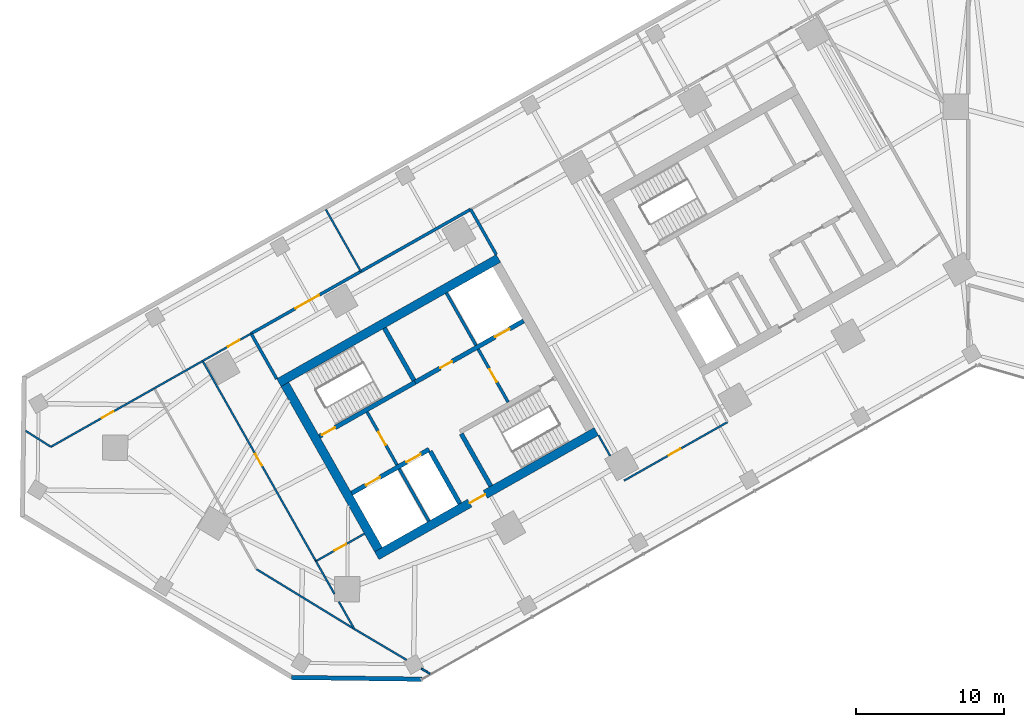
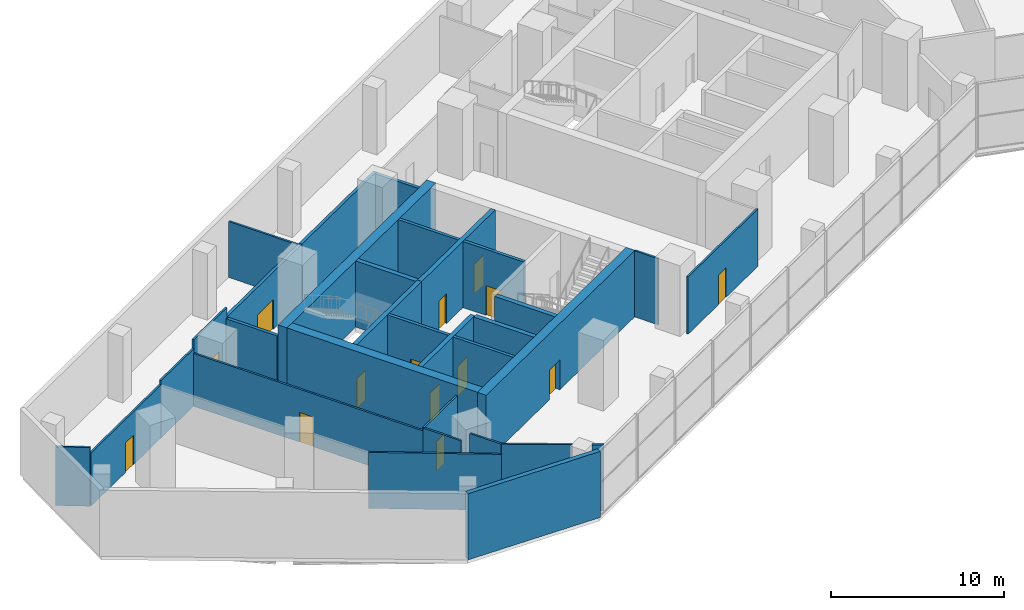
# One storey, part 8 of 16: 32 walls, 14 doors, 14 openings.
"""IFC4 building model written with IfcOpenShell, lengths in metres."""

from ifc_helpers import new_model, si_unit, direction, frame, frame_2d, origin, place, context, subcontext, project, spatial, rectangle, extrude, material, layer, layer_set, type_object, element, fill, save


model = new_model("IFC4")

# Units and contexts
model_context = context("Model", 3, precision=1e-05, world=origin(), true_north=direction((0.0, 1.0)))
body_context = subcontext(model_context, "Body", "Model", "MODEL_VIEW")
ifc_project = project(units=[si_unit("LENGTHUNIT", "METRE"), si_unit("AREAUNIT", "SQUARE_METRE"), si_unit("VOLUMEUNIT", "CUBIC_METRE"), si_unit("PLANEANGLEUNIT", "RADIAN"), si_unit("MASSUNIT", "GRAM", prefix="KILO")], contexts=[model_context])

# Site, building, storey
site_placement = place(None, origin())
site = spatial("IfcSite", under=ifc_project, at=site_placement, CompositionType="ELEMENT")
building_placement = place(site_placement, origin())
building = spatial("IfcBuilding", under=site, at=building_placement, Name="Binnacle Exchange Tower", CompositionType="ELEMENT")
storey_placement = place(building_placement, frame((0.0, 0.0, 21.5)))
storey = spatial("IfcBuildingStorey", under=building, at=storey_placement, Name="L04", CompositionType="ELEMENT", Elevation=21.5)

# Wall, openings, doors
ifc_material_1 = material(Name="Concrete C70/85", Category="concrete")
ifc_layer_1 = layer(ifc_material_1, 0.300048828125)
ifc_layer_set_1 = layer_set([ifc_layer_1], Name="Core wall - front 300")
wall_type_1 = type_object("IfcWallType", Name="Core wall - front 300", PredefinedType="SOLIDWALL", material=ifc_layer_set_1)
wall_1_placement = place(storey_placement, frame((-41.555908203125, 33.9609375, 0.0), z_axis=(0.0, 0.0, 1.0), x_axis=(0.870343731308, 0.492444706919, 0.0)))
wall_1 = element("IfcWall", 1, at=wall_1_placement, inside=storey, type_object=wall_type_1, Name="Core wall CRWA2", PredefinedType="SOLIDWALL", context=body_context, shape_type="SweptSolid", body=[
    extrude(rectangle(XDim=5.999755859375, YDim=0.300048828125, at=frame_2d((3.0, 0.0))), origin(), (0.0, 0.0, 1.0), 4.679931640625),
])
opening_1_placement = place(wall_1_placement, frame((1.099853515625, 0.0, 0.0)))
opening_1 = element("IfcOpeningElement", 2, at=opening_1_placement, cuts=wall_1, Name="Opening LD12", PredefinedType="OPENING", context=body_context, shape_type="SweptSolid", body=[
    extrude(rectangle(XDim=1.10009765625, YDim=2.10009765625, at=frame_2d((0.550048828125, 1.050048828125))), frame((0.0, 0.159912109375, 0.0), z_axis=(0.0, -1.0, 0.0), x_axis=(1.0, 0.0, 0.0)), (0.0, 0.0, 1.0), 0.320068359375),
])
opening_2_placement = place(wall_1_placement, frame((4.25, 0.0, 0.0)))
opening_2 = element("IfcOpeningElement", 3, at=opening_2_placement, cuts=wall_1, Name="Opening LD8", PredefinedType="OPENING", context=body_context, shape_type="SweptSolid", body=[
    extrude(rectangle(XDim=1.10009765625, YDim=2.10009765625, at=frame_2d((0.550048828125, 1.050048828125))), frame((0.0, 0.159912109375, 0.0), z_axis=(0.0, -1.0, 0.0), x_axis=(1.0, 0.0, 0.0)), (0.0, 0.0, 1.0), 0.320068359375),
])
ifc_material_2 = material(Name="Steel door leaf", Category="steel")
door_type_1 = type_object("IfcDoorType", Name="Fire door - lift landing 1100", OperationType="NOTDEFINED", PredefinedType="DOOR", material=ifc_material_2)
door_1_placement = place(opening_1_placement, origin())
door_1 = element("IfcDoor", 4, at=door_1_placement, inside=storey, type_object=door_type_1, Name="Landing door LD12 L04", OperationType="DOUBLE_DOOR_SLIDING", OverallHeight=2.10009765625, OverallWidth=1.10009765625, PredefinedType="DOOR", context=body_context, shape_type="SweptSolid", body=[
    extrude(rectangle(XDim=1.10009765625, YDim=2.10009765625, at=frame_2d((0.550048828125, 1.050048828125))), frame((0.0, 0.02490234375, 0.0), z_axis=(0.0, -1.0, 0.0), x_axis=(1.0, 0.0, 0.0)), (0.0, 0.0, 1.0), 0.050048828125),
])
fill(opening_1, door_1)
door_2_placement = place(opening_2_placement, origin())
door_2 = element("IfcDoor", 5, at=door_2_placement, inside=storey, type_object=door_type_1, Name="Landing door LD8 L04", OperationType="DOUBLE_DOOR_SLIDING", OverallHeight=2.10009765625, OverallWidth=1.10009765625, PredefinedType="DOOR", context=body_context, shape_type="SweptSolid", body=[
    extrude(rectangle(XDim=1.10009765625, YDim=2.10009765625, at=frame_2d((0.550048828125, 1.050048828125))), frame((0.0, 0.02490234375, 0.0), z_axis=(0.0, -1.0, 0.0), x_axis=(1.0, 0.0, 0.0)), (0.0, 0.0, 1.0), 0.050048828125),
])
fill(opening_2, door_2)

wall_2_placement = place(storey_placement, frame((-37.281982421875, 41.4345703125, 0.0), z_axis=(0.0, 0.0, 1.0), x_axis=(0.870356516133, 0.492422110414, 0.0)))
wall_2 = element("IfcWall", 6, at=wall_2_placement, inside=storey, type_object=wall_type_1, Name="Core wall CRWA5", PredefinedType="SOLIDWALL", context=body_context, shape_type="SweptSolid", body=[
    extrude(rectangle(XDim=8.399658203125, YDim=0.300048828125, at=frame_2d((4.19970703125, 0.0))), origin(), (0.0, 0.0, 1.0), 4.679931640625),
])
opening_3_placement = place(wall_2_placement, frame((6.199951171875, 0.0, 0.0)))
opening_3 = element("IfcOpeningElement", 7, at=opening_3_placement, cuts=wall_2, Name="Opening LD13", PredefinedType="OPENING", context=body_context, shape_type="SweptSolid", body=[
    extrude(rectangle(XDim=1.10009765625, YDim=2.10009765625, at=frame_2d((0.550048828125, 1.050048828125))), frame((0.0, 0.159912109375, 0.0), z_axis=(0.0, -1.0, 0.0), x_axis=(1.0, 0.0, 0.0)), (0.0, 0.0, 1.0), 0.320068359375),
])
opening_4_placement = place(wall_2_placement, frame((1.949951171875, 0.0, 0.0)))
opening_4 = element("IfcOpeningElement", 8, at=opening_4_placement, cuts=wall_2, Name="Opening DA10", PredefinedType="OPENING", context=body_context, shape_type="SweptSolid", body=[
    extrude(rectangle(XDim=0.89990234375, YDim=2.10009765625, at=frame_2d((0.449951171875, 1.050048828125))), frame((0.0, 0.159912109375, 0.0), z_axis=(0.0, -1.0, 0.0), x_axis=(1.0, 0.0, 0.0)), (0.0, 0.0, 1.0), 0.320068359375),
])
door_3_placement = place(opening_3_placement, origin())
door_3 = element("IfcDoor", 9, at=door_3_placement, inside=storey, type_object=door_type_1, Name="Landing door LD13 L04", OperationType="DOUBLE_DOOR_SLIDING", OverallHeight=2.10009765625, OverallWidth=1.10009765625, PredefinedType="DOOR", context=body_context, shape_type="SweptSolid", body=[
    extrude(rectangle(XDim=1.10009765625, YDim=2.10009765625, at=frame_2d((0.550048828125, 1.050048828125))), frame((0.0, 0.02490234375, 0.0), z_axis=(0.0, -1.0, 0.0), x_axis=(1.0, 0.0, 0.0)), (0.0, 0.0, 1.0), 0.050048828125),
])
fill(opening_3, door_3)
door_type_2 = type_object("IfcDoorType", Name="Fire door 900", OperationType="NOTDEFINED", PredefinedType="DOOR", material=ifc_material_2)
door_4_placement = place(opening_4_placement, origin())
door_4 = element("IfcDoor", 10, at=door_4_placement, inside=storey, type_object=door_type_2, Name="Core room door LINEN AND SUPPLIES STORE", OperationType="SINGLE_SWING_LEFT", OverallHeight=2.10009765625, OverallWidth=0.89990234375, PredefinedType="DOOR", context=body_context, shape_type="SweptSolid", body=[
    extrude(rectangle(XDim=0.89990234375, YDim=2.10009765625, at=frame_2d((0.449951171875, 1.050048828125))), frame((0.0, 0.02490234375, 0.0), z_axis=(0.0, -1.0, 0.0), x_axis=(1.0, 0.0, 0.0)), (0.0, 0.0, 1.0), 0.050048828125),
])
fill(opening_4, door_4)

# Wall
wall_3_placement = place(storey_placement, frame((-36.260009765625, 36.784912109375, 0.0), z_axis=(0.0, 0.0, 1.0), x_axis=(0.492440575896, -0.870346068648, 0.0)))
element("IfcWall", 11, at=wall_3_placement, inside=storey, type_object=wall_type_1, Name="Core wall CRWA13", PredefinedType="SOLIDWALL", context=body_context, shape_type="SweptSolid", body=[
    extrude(rectangle(XDim=4.050048828125, YDim=0.300048828125, at=frame_2d((2.02490234375, 0.0))), origin(), (0.0, 0.0, 1.0), 4.679931640625),
])

# Wall, opening, door
ifc_layer_2 = layer(ifc_material_1, 0.60009765625)
ifc_layer_set_2 = layer_set([ifc_layer_2], Name="Core wall - outer 600")
wall_type_2 = type_object("IfcWallType", Name="Core wall - outer 600", PredefinedType="SOLIDWALL", material=ifc_layer_set_2)
wall_4_placement = place(storey_placement, frame((-39.8623046875, 29.748779296875, 0.0), z_axis=(0.0, 0.0, 1.0), x_axis=(0.870350116061, 0.492433422375, 0.0)))
wall_4 = element("IfcWall", 12, at=wall_4_placement, inside=storey, type_object=wall_type_2, Name="Core wall CRWA1", PredefinedType="SOLIDWALL", context=body_context, shape_type="SweptSolid", body=[
    extrude(rectangle(XDim=17.0, YDim=0.60009765625, at=frame_2d((8.5, 0.0))), origin(), (0.0, 0.0, 1.0), 4.679931640625),
])
opening_5_placement = place(wall_4_placement, frame((7.199951171875, 0.0, 0.0)))
opening_5 = element("IfcOpeningElement", 13, at=opening_5_placement, cuts=wall_4, Name="Opening DA7", PredefinedType="OPENING", context=body_context, shape_type="SweptSolid", body=[
    extrude(rectangle(XDim=1.199951171875, YDim=2.10009765625, at=frame_2d((0.60009765625, 1.050048828125))), frame((0.0, 0.31005859375, 0.0), z_axis=(0.0, -1.0, 0.0), x_axis=(1.0, 0.0, 0.0)), (0.0, 0.0, 1.0), 0.6201171875),
])
door_type_3 = type_object("IfcDoorType", Name="Fire door 1200", OperationType="NOTDEFINED", PredefinedType="DOOR", material=ifc_material_2)
door_5_placement = place(opening_5_placement, frame((1.199951171875, 0.0, 0.0), z_axis=(0.0, 0.0, 1.0), x_axis=(-1.0, 0.0, 0.0)))
door_5 = element("IfcDoor", 14, at=door_5_placement, inside=storey, type_object=door_type_3, Name="Lift lobby entrance door core A", OperationType="SINGLE_SWING_RIGHT", OverallHeight=2.10009765625, OverallWidth=1.199951171875, PredefinedType="DOOR", context=body_context, shape_type="SweptSolid", body=[
    extrude(rectangle(XDim=1.199951171875, YDim=2.10009765625, at=frame_2d((0.60009765625, 1.050048828125))), frame((0.0, 0.02490234375, 0.0), z_axis=(0.0, -1.0, 0.0), x_axis=(1.0, 0.0, 0.0)), (0.0, 0.0, 1.0), 0.050048828125),
])
fill(opening_5, door_5)

# Walls
wall_5_placement = place(storey_placement, frame((-46.460693359375, 41.41162109375, 0.0), z_axis=(0.0, 0.0, 1.0), x_axis=(0.870350116061, 0.492433422375, 0.0)))
element("IfcWall", 15, at=wall_5_placement, inside=storey, type_object=wall_type_2, Name="Core wall CRWA6", PredefinedType="SOLIDWALL", context=body_context, shape_type="SweptSolid", body=[
    extrude(rectangle(XDim=17.0, YDim=0.60009765625, at=frame_2d((8.5, 0.0))), origin(), (0.0, 0.0, 1.0), 4.679931640625),
])
wall_6_placement = place(storey_placement, frame((-46.052001953125, 41.29833984375, 0.0), z_axis=(0.0, 0.0, 1.0), x_axis=(0.492418598281, -0.870358503186, 0.0)))
element("IfcWall", 16, at=wall_6_placement, inside=storey, type_object=wall_type_2, Name="Core wall CRWA7", PredefinedType="SOLIDWALL", context=body_context, shape_type="SweptSolid", body=[
    extrude(rectangle(XDim=12.800048828125, YDim=0.60009765625, at=frame_2d((6.39990234375, 0.0))), origin(), (0.0, 0.0, 1.0), 4.679931640625),
])

# Wall, opening, door
ifc_layer_3 = layer(ifc_material_1, 0.300048828125)
ifc_layer_set_3 = layer_set([ifc_layer_3], Name="Core wall - stair 300")
wall_type_3 = type_object("IfcWallType", Name="Core wall - stair 300", PredefinedType="SOLIDWALL", material=ifc_layer_set_3)
wall_7_placement = place(storey_placement, frame((-43.72265625, 37.79052734375, 0.0), z_axis=(0.0, 0.0, 1.0), x_axis=(0.87035077051, 0.49243226567, 0.0)))
wall_7 = element("IfcWall", 17, at=wall_7_placement, inside=storey, type_object=wall_type_3, Name="Core wall CRWA4", PredefinedType="SOLIDWALL", context=body_context, shape_type="SweptSolid", body=[
    extrude(rectangle(XDim=7.400146484375, YDim=0.300048828125, at=frame_2d((3.7001953125, 0.0))), origin(), (0.0, 0.0, 1.0), 4.679931640625),
])
opening_6_placement = place(wall_7_placement, frame((0.199951171875, 0.0, 0.0)))
opening_6 = element("IfcOpeningElement", 18, at=opening_6_placement, cuts=wall_7, Name="Opening DA1", PredefinedType="OPENING", context=body_context, shape_type="SweptSolid", body=[
    extrude(rectangle(XDim=1.0, YDim=2.10009765625, at=frame_2d((0.5, 1.050048828125))), frame((0.0, 0.159912109375, 0.0), z_axis=(0.0, -1.0, 0.0), x_axis=(1.0, 0.0, 0.0)), (0.0, 0.0, 1.0), 0.320068359375),
])
door_type_4 = type_object("IfcDoorType", Name="Fire door 1000", OperationType="NOTDEFINED", PredefinedType="DOOR", material=ifc_material_2)
door_6_placement = place(opening_6_placement, origin())
door_6 = element("IfcDoor", 19, at=door_6_placement, inside=storey, type_object=door_type_4, Name="Stair door ST-A1", OperationType="SINGLE_SWING_LEFT", OverallHeight=2.10009765625, OverallWidth=1.0, PredefinedType="DOOR", context=body_context, shape_type="SweptSolid", body=[
    extrude(rectangle(XDim=1.0, YDim=2.10009765625, at=frame_2d((0.5, 1.050048828125))), frame((0.0, 0.02490234375, 0.0), z_axis=(0.0, -1.0, 0.0), x_axis=(1.0, 0.0, 0.0)), (0.0, 0.0, 1.0), 0.050048828125),
])
fill(opening_6, door_6)

# Walls
wall_8_placement = place(storey_placement, frame((-39.350341796875, 45.090087890625, 0.0), z_axis=(0.0, 0.0, 1.0), x_axis=(0.49241474071, -0.870360685654, 0.0)))
element("IfcWall", 20, at=wall_8_placement, inside=storey, type_object=wall_type_3, Name="Core wall CRWA14", PredefinedType="SOLIDWALL", context=body_context, shape_type="SweptSolid", body=[
    extrude(rectangle(XDim=4.05029296875, YDim=0.300048828125, at=frame_2d((2.025146484375, 0.0))), origin(), (0.0, 0.0, 1.0), 4.679931640625),
])
wall_9_placement = place(storey_placement, frame((-34.171142578125, 37.966796875, 0.0), z_axis=(0.0, 0.0, 1.0), x_axis=(0.492394910396, -0.870371904542, 0.0)))
element("IfcWall", 21, at=wall_9_placement, inside=storey, type_object=wall_type_3, Name="Core wall CRWA16", PredefinedType="SOLIDWALL", context=body_context, shape_type="SweptSolid", body=[
    extrude(rectangle(XDim=4.0498046875, YDim=0.300048828125, at=frame_2d((2.02490234375, 0.0))), origin(), (0.0, 0.0, 1.0), 4.679931640625),
])
ifc_material_3 = material(Name="Bronze aluminium louvre", Category="aluminium")
ifc_layer_4 = layer(ifc_material_3, 0.300048828125)
ifc_layer_set_4 = layer_set([ifc_layer_4], Name="External wall - podium louvre 300")
wall_type_4 = type_object("IfcWallType", Name="External wall - podium louvre 300", PredefinedType="STANDARD", material=ifc_layer_set_4)
wall_10_placement = place(storey_placement, frame((-36.821044921875, 21.42822265625, 0.0), z_axis=(0.0, 0.0, 1.0), x_axis=(-0.999914252794, 0.013095306781, 0.0)))
element("IfcWall", 22, at=wall_10_placement, inside=storey, type_object=wall_type_4, Name="External wall EW-P05 L04", PredefinedType="STANDARD", context=body_context, shape_type="SweptSolid", body=[
    extrude(rectangle(XDim=8.781005859375, YDim=0.300048828125, at=frame_2d((4.390625, 0.0))), origin(), (0.0, 0.0, 1.0), 4.679931640625),
])
ifc_material_4 = material(Name="Masonry block wall", Category="masonry")
ifc_layer_5 = layer(ifc_material_4, 0.199951171875)
ifc_layer_set_5 = layer_set([ifc_layer_5], Name="Fire wall - block 200")
wall_type_5 = type_object("IfcWallType", Name="Fire wall - block 200", PredefinedType="PARTITIONING", material=ifc_layer_set_5)
wall_11_placement = place(storey_placement, frame((-48.33203125, 44.718994140625, 0.0), z_axis=(0.0, 0.0, 1.0), x_axis=(0.492392845909, -0.87037307248, 0.0)))
element("IfcWall", 23, at=wall_11_placement, inside=storey, type_object=wall_type_5, Name="Partition W08", PredefinedType="PARTITIONING", context=body_context, shape_type="SweptSolid", body=[
    extrude(rectangle(XDim=3.49951171875, YDim=0.199951171875, at=frame_2d((1.749755859375, 0.0))), origin(), (0.0, 0.0, 1.0), 3.9599609375),
])

# Wall, opening, door
wall_12_placement = place(storey_placement, frame((-48.33203125, 44.718994140625, 0.0), z_axis=(0.0, 0.0, 1.0), x_axis=(0.870331650579, 0.492466057713, 0.0)))
wall_12 = element("IfcWall", 24, at=wall_12_placement, inside=storey, type_object=wall_type_5, Name="Partition W09", PredefinedType="PARTITIONING", context=body_context, shape_type="SweptSolid", body=[
    extrude(rectangle(XDim=8.500244140625, YDim=0.199951171875, at=frame_2d((4.25, 0.0))), origin(), (0.0, 0.0, 1.0), 4.053955078125),
])
opening_7_placement = place(wall_12_placement, frame((3.449951171875, 0.0, 0.0)))
opening_7 = element("IfcOpeningElement", 25, at=opening_7_placement, cuts=wall_12, Name="Opening DL03-11", PredefinedType="OPENING", context=body_context, shape_type="SweptSolid", body=[
    extrude(rectangle(XDim=1.800048828125, YDim=2.10009765625, at=frame_2d((0.89990234375, 1.050048828125))), frame((0.0, 0.10986328125, 0.0), z_axis=(0.0, -1.0, 0.0), x_axis=(1.0, 0.0, 0.0)), (0.0, 0.0, 1.0), 0.219970703125),
])
door_type_5 = type_object("IfcDoorType", Name="Fire door 1800", OperationType="NOTDEFINED", PredefinedType="DOOR", material=ifc_material_2)
door_7_placement = place(opening_7_placement, frame((1.800048828125, 0.0, 0.0), z_axis=(0.0, 0.0, 1.0), x_axis=(-1.0, 0.0, 0.0)))
door_7 = element("IfcDoor", 26, at=door_7_placement, inside=storey, type_object=door_type_5, Name="Door DL03-11", OperationType="DOUBLE_DOOR_SINGLE_SWING", OverallHeight=2.10009765625, OverallWidth=1.800048828125, PredefinedType="DOOR", context=body_context, shape_type="SweptSolid", body=[
    extrude(rectangle(XDim=1.800048828125, YDim=2.10009765625, at=frame_2d((0.89990234375, 1.050048828125))), frame((0.0, 0.02490234375, 0.0), z_axis=(0.0, -1.0, 0.0), x_axis=(1.0, 0.0, 0.0)), (0.0, 0.0, 1.0), 0.050048828125),
])
fill(opening_7, door_7)

# Walls
wall_13_placement = place(storey_placement, frame((-40.93408203125, 48.905029296875, 0.0), z_axis=(0.0, 0.0, 1.0), x_axis=(0.870387854278, 0.492366716102, 0.0)))
element("IfcWall", 27, at=wall_13_placement, inside=storey, type_object=wall_type_5, Name="Partition W16", PredefinedType="PARTITIONING", context=body_context, shape_type="SweptSolid", body=[
    extrude(rectangle(XDim=8.5, YDim=0.199951171875, at=frame_2d((4.25, 0.0))), origin(), (0.0, 0.0, 1.0), 4.053955078125),
])
wall_14_placement = place(storey_placement, frame((-33.535888671875, 53.090087890625, 0.0), z_axis=(0.0, 0.0, 1.0), x_axis=(0.492521469645, -0.870300294116, 0.0)))
element("IfcWall", 28, at=wall_14_placement, inside=storey, type_object=wall_type_5, Name="Partition W18", PredefinedType="PARTITIONING", context=body_context, shape_type="SweptSolid", body=[
    extrude(rectangle(XDim=3.5, YDim=0.199951171875, at=frame_2d((1.75, 0.0))), origin(), (0.0, 0.0, 1.0), 3.9599609375),
])

# Wall, opening, door
ifc_layer_6 = layer(ifc_material_4, 0.199951171875)
ifc_layer_set_6 = layer_set([ifc_layer_6], Name="Fire wall - vestibule 200")
wall_type_6 = type_object("IfcWallType", Name="Fire wall - vestibule 200", PredefinedType="PARTITIONING", material=ifc_layer_set_6)
wall_15_placement = place(storey_placement, frame((-40.515625, 39.4326171875, 0.0), z_axis=(0.0, 0.0, 1.0), x_axis=(0.492453559952, -0.87033872216, 0.0)))
wall_15 = element("IfcWall", 29, at=wall_15_placement, inside=storey, type_object=wall_type_6, Name="Core wall CRWA10", PredefinedType="PARTITIONING", context=body_context, shape_type="SweptSolid", body=[
    extrude(rectangle(XDim=4.099853515625, YDim=0.199951171875, at=frame_2d((2.0498046875, 0.0))), origin(), (0.0, 0.0, 1.0), 4.679931640625),
])
opening_8_placement = place(wall_15_placement, frame((1.550048828125, 0.0, 0.0)))
opening_8 = element("IfcOpeningElement", 30, at=opening_8_placement, cuts=wall_15, Name="Opening DA3", PredefinedType="OPENING", context=body_context, shape_type="SweptSolid", body=[
    extrude(rectangle(XDim=1.0, YDim=2.10009765625, at=frame_2d((0.5, 1.050048828125))), frame((0.0, 0.10986328125, 0.0), z_axis=(0.0, -1.0, 0.0), x_axis=(1.0, 0.0, 0.0)), (0.0, 0.0, 1.0), 0.219970703125),
])
door_8_placement = place(opening_8_placement, frame((1.0, 0.0, 0.0), z_axis=(0.0, 0.0, 1.0), x_axis=(-1.0, 0.0, 0.0)))
door_8 = element("IfcDoor", 31, at=door_8_placement, inside=storey, type_object=door_type_4, Name="Vestibule door VEST-W", OperationType="SINGLE_SWING_LEFT", OverallHeight=2.10009765625, OverallWidth=1.0, PredefinedType="DOOR", context=body_context, shape_type="SweptSolid", body=[
    extrude(rectangle(XDim=1.0, YDim=2.10009765625, at=frame_2d((0.5, 1.050048828125))), frame((0.0, 0.02490234375, 0.0), z_axis=(0.0, -1.0, 0.0), x_axis=(1.0, 0.0, 0.0)), (0.0, 0.0, 1.0), 0.050048828125),
])
fill(opening_8, door_8)

wall_16_placement = place(storey_placement, frame((-33.030517578125, 43.66748046875, 0.0), z_axis=(0.0, 0.0, 1.0), x_axis=(0.492408451753, -0.87036424366, 0.0)))
wall_16 = element("IfcWall", 32, at=wall_16_placement, inside=storey, type_object=wall_type_6, Name="Core wall CRWA19", PredefinedType="PARTITIONING", context=body_context, shape_type="SweptSolid", body=[
    extrude(rectangle(XDim=4.099853515625, YDim=0.199951171875, at=frame_2d((2.0498046875, 0.0))), origin(), (0.0, 0.0, 1.0), 4.679931640625),
])
opening_9_placement = place(wall_16_placement, frame((1.550048828125, 0.0, 0.0)))
opening_9 = element("IfcOpeningElement", 33, at=opening_9_placement, cuts=wall_16, Name="Opening DA4", PredefinedType="OPENING", context=body_context, shape_type="SweptSolid", body=[
    extrude(rectangle(XDim=1.0, YDim=2.10009765625, at=frame_2d((0.5, 1.050048828125))), frame((0.0, 0.10986328125, 0.0), z_axis=(0.0, -1.0, 0.0), x_axis=(1.0, 0.0, 0.0)), (0.0, 0.0, 1.0), 0.219970703125),
])
door_9_placement = place(opening_9_placement, origin())
door_9 = element("IfcDoor", 34, at=door_9_placement, inside=storey, type_object=door_type_4, Name="Vestibule door VEST-E", OperationType="SINGLE_SWING_RIGHT", OverallHeight=2.10009765625, OverallWidth=1.0, PredefinedType="DOOR", context=body_context, shape_type="SweptSolid", body=[
    extrude(rectangle(XDim=1.0, YDim=2.10009765625, at=frame_2d((0.5, 1.050048828125))), frame((0.0, 0.02490234375, 0.0), z_axis=(0.0, -1.0, 0.0), x_axis=(1.0, 0.0, 0.0)), (0.0, 0.0, 1.0), 0.050048828125),
])
fill(opening_9, door_9)

# Wall
ifc_material_5 = material(Name="Gypsum partition")
ifc_layer_7 = layer(ifc_material_5, 0.125)
ifc_layer_set_7 = layer_set([ifc_layer_7], Name="Partition 125")
wall_type_7 = type_object("IfcWallType", Name="Partition 125", PredefinedType="PARTITIONING", material=ifc_layer_set_7)
wall_17_placement = place(storey_placement, frame((-63.529052734375, 38.1669921875, 0.0), z_axis=(0.0, 0.0, 1.0), x_axis=(0.844913795328, -0.534902494352, 0.0)))
element("IfcWall", 35, at=wall_17_placement, inside=storey, type_object=wall_type_7, Name="Partition W01", PredefinedType="PARTITIONING", context=body_context, shape_type="SweptSolid", body=[
    extrude(rectangle(XDim=2.019287109375, YDim=0.125, at=frame_2d((1.009765625, 0.0))), origin(), (0.0, 0.0, 1.0), 4.154052734375),
])

# Wall, opening, door
wall_18_placement = place(storey_placement, frame((-61.822998046875, 37.0869140625, 0.0), z_axis=(0.0, 0.0, 1.0), x_axis=(0.870379756599, 0.492381030609, 0.0)))
wall_18 = element("IfcWall", 36, at=wall_18_placement, inside=storey, type_object=wall_type_7, Name="Partition W02", PredefinedType="PARTITIONING", context=body_context, shape_type="SweptSolid", body=[
    extrude(rectangle(XDim=7.999755859375, YDim=0.125, at=frame_2d((4.0, 0.0))), origin(), (0.0, 0.0, 1.0), 3.760009765625),
])
opening_10_placement = place(wall_18_placement, frame((3.949951171875, 0.0, 0.0)))
opening_10 = element("IfcOpeningElement", 37, at=opening_10_placement, cuts=wall_18, Name="Opening DL03-07", PredefinedType="OPENING", context=body_context, shape_type="SweptSolid", body=[
    extrude(rectangle(XDim=0.89990234375, YDim=2.10009765625, at=frame_2d((0.449951171875, 1.050048828125))), frame((0.0, 0.072509765625, 0.0), z_axis=(0.0, -1.0, 0.0), x_axis=(1.0, 0.0, 0.0)), (0.0, 0.0, 1.0), 0.14501953125),
])
ifc_material_6 = material(Name="Timber door leaf", Category="wood")
door_type_6 = type_object("IfcDoorType", Name="Door 900", OperationType="NOTDEFINED", PredefinedType="DOOR", material=ifc_material_6)
door_10_placement = place(opening_10_placement, frame((0.89990234375, 0.0, 0.0), z_axis=(0.0, 0.0, 1.0), x_axis=(-1.0, 0.0, 0.0)))
door_10 = element("IfcDoor", 38, at=door_10_placement, inside=storey, type_object=door_type_6, Name="Door DL03-07", OperationType="SINGLE_SWING_LEFT", OverallHeight=2.10009765625, OverallWidth=0.89990234375, PredefinedType="DOOR", context=body_context, shape_type="SweptSolid", body=[
    extrude(rectangle(XDim=0.89990234375, YDim=2.10009765625, at=frame_2d((0.449951171875, 1.050048828125))), frame((0.0, 0.02490234375, 0.0), z_axis=(0.0, -1.0, 0.0), x_axis=(1.0, 0.0, 0.0)), (0.0, 0.0, 1.0), 0.050048828125),
])
fill(opening_10, door_10)

# Wall
wall_19_placement = place(storey_placement, frame((-54.860107421875, 41.02587890625, 0.0), z_axis=(0.0, 0.0, 1.0), x_axis=(0.870310553999, 0.492503339682, 0.0)))
element("IfcWall", 39, at=wall_19_placement, inside=storey, type_object=wall_type_7, Name="Partition W03", PredefinedType="PARTITIONING", context=body_context, shape_type="SweptSolid", body=[
    extrude(rectangle(XDim=3.75048828125, YDim=0.125, at=frame_2d((1.875244140625, 0.0))), origin(), (0.0, 0.0, 1.0), 4.048095703125),
])

# Wall, opening, door
wall_20_placement = place(storey_placement, frame((-51.595947265625, 42.873046875, 0.0), z_axis=(0.0, 0.0, 1.0), x_axis=(0.87043427122, 0.492284652905, 0.0)))
wall_20 = element("IfcWall", 40, at=wall_20_placement, inside=storey, type_object=wall_type_7, Name="Partition W05", PredefinedType="PARTITIONING", context=body_context, shape_type="SweptSolid", body=[
    extrude(rectangle(XDim=3.749755859375, YDim=0.125, at=frame_2d((1.875, 0.0))), origin(), (0.0, 0.0, 1.0), 4.679931640625),
])
opening_11_placement = place(wall_20_placement, frame((1.949951171875, 0.0, 0.0)))
opening_11 = element("IfcOpeningElement", 41, at=opening_11_placement, cuts=wall_20, Name="Opening DL03-04", PredefinedType="OPENING", context=body_context, shape_type="SweptSolid", body=[
    extrude(rectangle(XDim=0.89990234375, YDim=2.10009765625, at=frame_2d((0.449951171875, 1.050048828125))), frame((0.0, 0.072509765625, 0.0), z_axis=(0.0, -1.0, 0.0), x_axis=(1.0, 0.0, 0.0)), (0.0, 0.0, 1.0), 0.14501953125),
])
door_11_placement = place(opening_11_placement, origin())
door_11 = element("IfcDoor", 42, at=door_11_placement, inside=storey, type_object=door_type_6, Name="Door DL03-04", OperationType="SINGLE_SWING_RIGHT", OverallHeight=2.10009765625, OverallWidth=0.89990234375, PredefinedType="DOOR", context=body_context, shape_type="SweptSolid", body=[
    extrude(rectangle(XDim=0.89990234375, YDim=2.10009765625, at=frame_2d((0.449951171875, 1.050048828125))), frame((0.0, 0.02490234375, 0.0), z_axis=(0.0, -1.0, 0.0), x_axis=(1.0, 0.0, 0.0)), (0.0, 0.0, 1.0), 0.050048828125),
])
fill(opening_11, door_11)

wall_21_placement = place(storey_placement, frame((-51.595947265625, 42.873046875, 0.0), z_axis=(0.0, 0.0, 1.0), x_axis=(0.492435038471, -0.870349201692, 0.0)))
wall_21 = element("IfcWall", 43, at=wall_21_placement, inside=storey, type_object=wall_type_7, Name="Partition W06", PredefinedType="PARTITIONING", context=body_context, shape_type="SweptSolid", body=[
    extrude(rectangle(XDim=15.500732421875, YDim=0.125, at=frame_2d((7.75048828125, 0.0))), origin(), (0.0, 0.0, 1.0), 3.741943359375),
])
opening_12_placement = place(wall_21_placement, frame((7.199951171875, 0.0, 0.0)))
opening_12 = element("IfcOpeningElement", 44, at=opening_12_placement, cuts=wall_21, Name="Opening DL03-08", PredefinedType="OPENING", context=body_context, shape_type="SweptSolid", body=[
    extrude(rectangle(XDim=0.89990234375, YDim=2.10009765625, at=frame_2d((0.449951171875, 1.050048828125))), frame((0.0, 0.072509765625, 0.0), z_axis=(0.0, -1.0, 0.0), x_axis=(1.0, 0.0, 0.0)), (0.0, 0.0, 1.0), 0.14501953125),
])
door_12_placement = place(opening_12_placement, frame((0.89990234375, 0.0, 0.0), z_axis=(0.0, 0.0, 1.0), x_axis=(-1.0, 0.0, 0.0)))
door_12 = element("IfcDoor", 45, at=door_12_placement, inside=storey, type_object=door_type_6, Name="Door DL03-08", OperationType="SINGLE_SWING_RIGHT", OverallHeight=2.10009765625, OverallWidth=0.89990234375, PredefinedType="DOOR", context=body_context, shape_type="SweptSolid", body=[
    extrude(rectangle(XDim=0.89990234375, YDim=2.10009765625, at=frame_2d((0.449951171875, 1.050048828125))), frame((0.0, 0.02490234375, 0.0), z_axis=(0.0, -1.0, 0.0), x_axis=(1.0, 0.0, 0.0)), (0.0, 0.0, 1.0), 0.050048828125),
])
fill(opening_12, door_12)

# Walls
wall_22_placement = place(storey_placement, frame((-47.966064453125, 28.841064453125, 0.0), z_axis=(0.0, 0.0, 1.0), x_axis=(0.8531669284, -0.521637989686, 0.0)))
element("IfcWall", 46, at=wall_22_placement, inside=storey, type_object=wall_type_7, Name="Partition W10", PredefinedType="PARTITIONING", context=body_context, shape_type="SweptSolid", body=[
    extrude(rectangle(XDim=7.721923828125, YDim=0.125, at=frame_2d((3.86083984375, 0.0))), origin(), (0.0, 0.0, 1.0), 3.9599609375),
])
wall_23_placement = place(storey_placement, frame((-43.962890625, 29.382080078125, 0.0), z_axis=(0.0, 0.0, 1.0), x_axis=(0.492408705769, -0.870364099951, 0.0)))
element("IfcWall", 47, at=wall_23_placement, inside=storey, type_object=wall_type_7, Name="Partition W11", PredefinedType="PARTITIONING", context=body_context, shape_type="SweptSolid", body=[
    extrude(rectangle(XDim=2.54052734375, YDim=0.125, at=frame_2d((1.270263671875, 0.0))), origin(), (0.0, 0.0, 1.0), 3.951904296875),
])

# Wall, opening, door
wall_24_placement = place(storey_placement, frame((-43.962890625, 29.382080078125, 0.0), z_axis=(0.0, 0.0, 1.0), x_axis=(0.870259488443, 0.492593567533, 0.0)))
wall_24 = element("IfcWall", 48, at=wall_24_placement, inside=storey, type_object=wall_type_7, Name="Partition W12", PredefinedType="PARTITIONING", context=body_context, shape_type="SweptSolid", body=[
    extrude(rectangle(XDim=3.749267578125, YDim=0.125, at=frame_2d((1.87451171875, 0.0))), origin(), (0.0, 0.0, 1.0), 3.9599609375),
])
opening_13_placement = place(wall_24_placement, frame((1.449951171875, 0.0, 0.0)))
opening_13 = element("IfcOpeningElement", 49, at=opening_13_placement, cuts=wall_24, Name="Opening DL03-01", PredefinedType="OPENING", context=body_context, shape_type="SweptSolid", body=[
    extrude(rectangle(XDim=0.89990234375, YDim=2.10009765625, at=frame_2d((0.449951171875, 1.050048828125))), frame((0.0, 0.072509765625, 0.0), z_axis=(0.0, -1.0, 0.0), x_axis=(1.0, 0.0, 0.0)), (0.0, 0.0, 1.0), 0.14501953125),
])
door_13_placement = place(opening_13_placement, origin())
door_13 = element("IfcDoor", 50, at=door_13_placement, inside=storey, type_object=door_type_6, Name="Door DL03-01", OperationType="SINGLE_SWING_RIGHT", OverallHeight=2.10009765625, OverallWidth=0.89990234375, PredefinedType="DOOR", context=body_context, shape_type="SweptSolid", body=[
    extrude(rectangle(XDim=0.89990234375, YDim=2.10009765625, at=frame_2d((0.449951171875, 1.050048828125))), frame((0.0, 0.02490234375, 0.0), z_axis=(0.0, -1.0, 0.0), x_axis=(1.0, 0.0, 0.0)), (0.0, 0.0, 1.0), 0.050048828125),
])
fill(opening_13, door_13)

# Walls
wall_25_placement = place(storey_placement, frame((-43.294921875, 53.076904296875, 0.0), z_axis=(0.0, 0.0, 1.0), x_axis=(0.492503605136, -0.87031040378, 0.0)))
element("IfcWall", 51, at=wall_25_placement, inside=storey, type_object=wall_type_7, Name="Partition W13", PredefinedType="PARTITIONING", context=body_context, shape_type="SweptSolid", body=[
    extrude(rectangle(XDim=4.79345703125, YDim=0.125, at=frame_2d((2.396728515625, 0.0))), origin(), (0.0, 0.0, 1.0), 3.9599609375),
])
wall_26_placement = place(storey_placement, frame((-42.41796875, 26.652099609375, 0.0), z_axis=(0.0, 0.0, 1.0), x_axis=(0.492251431349, -0.870453059237, 0.0)))
element("IfcWall", 52, at=wall_26_placement, inside=storey, type_object=wall_type_7, Name="Partition W14", PredefinedType="PARTITIONING", context=body_context, shape_type="SweptSolid", body=[
    extrude(rectangle(XDim=2.11279296875, YDim=0.125, at=frame_2d((1.056396484375, 0.0))), origin(), (0.0, 0.0, 1.0), 4.679931640625),
])
wall_27_placement = place(storey_placement, frame((-41.3779296875, 24.81298828125, 0.0), z_axis=(0.0, 0.0, 1.0), x_axis=(0.860752907168, -0.509023017948, 0.0)))
element("IfcWall", 53, at=wall_27_placement, inside=storey, type_object=wall_type_7, Name="Partition W15", PredefinedType="PARTITIONING", context=body_context, shape_type="SweptSolid", body=[
    extrude(rectangle(XDim=4.08837890625, YDim=0.125, at=frame_2d((2.044189453125, 0.0))), origin(), (0.0, 0.0, 1.0), 4.679931640625),
])
wall_28_placement = place(storey_placement, frame((-36.865966796875, 22.14404296875, 0.0), z_axis=(0.0, 0.0, 1.0), x_axis=(0.861112187998, -0.508414987664, 0.0)))
element("IfcWall", 54, at=wall_28_placement, inside=storey, type_object=wall_type_7, Name="Partition W17", PredefinedType="PARTITIONING", context=body_context, shape_type="SweptSolid", body=[
    extrude(rectangle(XDim=0.680419921875, YDim=0.125, at=frame_2d((0.34033203125, 0.0))), origin(), (0.0, 0.0, 1.0), 4.679931640625),
])
wall_29_placement = place(storey_placement, frame((-24.9189453125, 37.85888671875, 0.0), z_axis=(0.0, 0.0, 1.0), x_axis=(0.492366981934, -0.870387703901, 0.0)))
element("IfcWall", 55, at=wall_29_placement, inside=storey, type_object=wall_type_7, Name="Partition W22", PredefinedType="PARTITIONING", context=body_context, shape_type="SweptSolid", body=[
    extrude(rectangle(XDim=1.584228515625, YDim=0.125, at=frame_2d((0.7919921875, 0.0))), origin(), (0.0, 0.0, 1.0), 4.679931640625),
])

# Wall, opening, door
wall_30_placement = place(storey_placement, frame((-23.195068359375, 34.81298828125, 0.0), z_axis=(0.0, 0.0, 1.0), x_axis=(0.870387155114, 0.492367952057, 0.0)))
wall_30 = element("IfcWall", 56, at=wall_30_placement, inside=storey, type_object=wall_type_7, Name="Partition W25", PredefinedType="PARTITIONING", context=body_context, shape_type="SweptSolid", body=[
    extrude(rectangle(XDim=8.0, YDim=0.125, at=frame_2d((4.0, 0.0))), origin(), (0.0, 0.0, 1.0), 4.053955078125),
])
opening_14_placement = place(wall_30_placement, frame((3.449951171875, 0.0, 0.0)))
opening_14 = element("IfcOpeningElement", 57, at=opening_14_placement, cuts=wall_30, Name="Opening DL03-02", PredefinedType="OPENING", context=body_context, shape_type="SweptSolid", body=[
    extrude(rectangle(XDim=0.89990234375, YDim=2.10009765625, at=frame_2d((0.449951171875, 1.050048828125))), frame((0.0, 0.072509765625, 0.0), z_axis=(0.0, -1.0, 0.0), x_axis=(1.0, 0.0, 0.0)), (0.0, 0.0, 1.0), 0.14501953125),
])
door_14_placement = place(opening_14_placement, origin())
door_14 = element("IfcDoor", 58, at=door_14_placement, inside=storey, type_object=door_type_6, Name="Door DL03-02", OperationType="SINGLE_SWING_LEFT", OverallHeight=2.10009765625, OverallWidth=0.89990234375, PredefinedType="DOOR", context=body_context, shape_type="SweptSolid", body=[
    extrude(rectangle(XDim=0.89990234375, YDim=2.10009765625, at=frame_2d((0.449951171875, 1.050048828125))), frame((0.0, 0.02490234375, 0.0), z_axis=(0.0, -1.0, 0.0), x_axis=(1.0, 0.0, 0.0)), (0.0, 0.0, 1.0), 0.050048828125),
])
fill(opening_14, door_14)

# Walls
ifc_layer_8 = layer(ifc_material_4, 0.199951171875)
ifc_layer_set_8 = layer_set([ifc_layer_8], Name="Shaft wall 200")
wall_type_8 = type_object("IfcWallType", Name="Shaft wall 200", PredefinedType="SOLIDWALL", material=ifc_layer_set_8)
wall_31_placement = place(storey_placement, frame((-38.348876953125, 35.603271484375, 0.0), z_axis=(0.0, 0.0, 1.0), x_axis=(0.49241474071, -0.870360685654, 0.0)))
element("IfcWall", 59, at=wall_31_placement, inside=storey, type_object=wall_type_8, Name="Core wall CRWA9", PredefinedType="SOLIDWALL", context=body_context, shape_type="SweptSolid", body=[
    extrude(rectangle(XDim=4.05029296875, YDim=0.199951171875, at=frame_2d((2.025146484375, 0.0))), origin(), (0.0, 0.0, 1.0), 4.679931640625),
])
wall_32_placement = place(storey_placement, frame((-35.172607421875, 47.45361328125, 0.0), z_axis=(0.0, 0.0, 1.0), x_axis=(0.492440575896, -0.870346068648, 0.0)))
element("IfcWall", 60, at=wall_32_placement, inside=storey, type_object=wall_type_8, Name="Core wall CRWA21", PredefinedType="SOLIDWALL", context=body_context, shape_type="SweptSolid", body=[
    extrude(rectangle(XDim=4.050048828125, YDim=0.199951171875, at=frame_2d((2.02490234375, 0.0))), origin(), (0.0, 0.0, 1.0), 4.679931640625),
])

save(model, "model.ifc")
